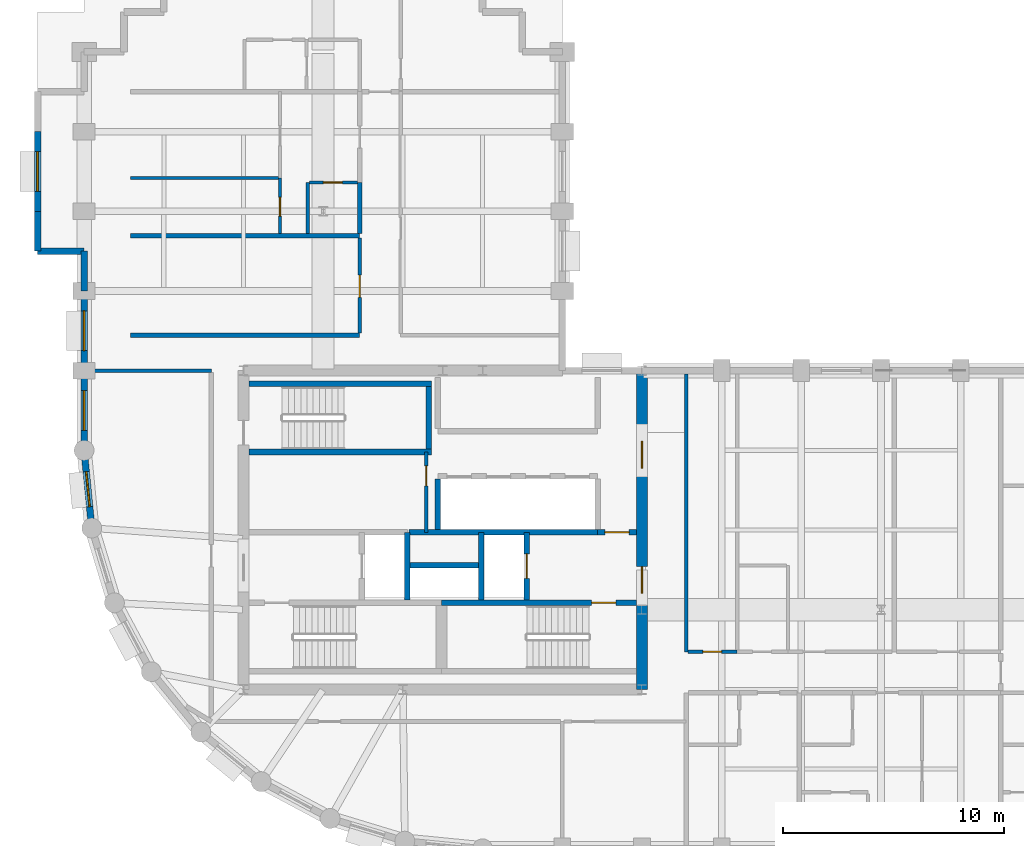
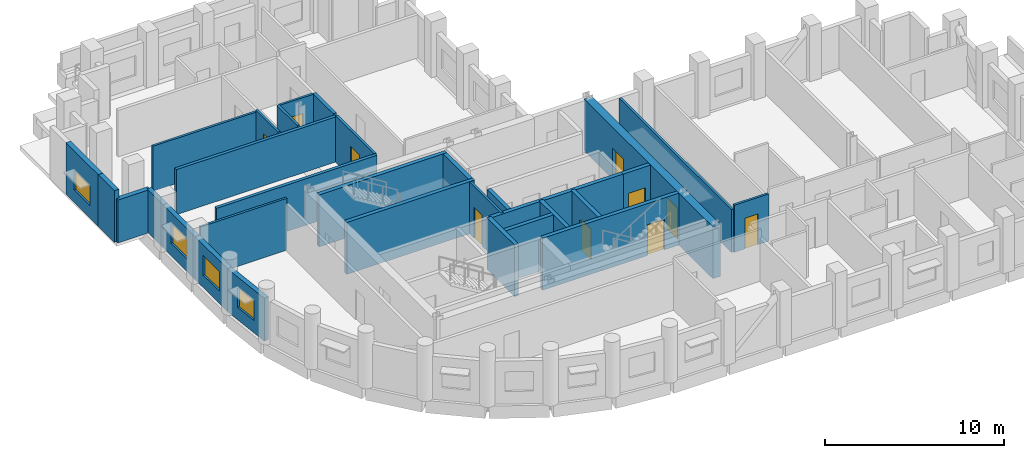
# One storey, part 4 of 10: 31 walls, 10 doors, 4 windows, 14 openings.
"""IFC4 building model written with IfcOpenShell, lengths in metres."""

from ifc_helpers import new_model, si_unit, direction, frame, frame_2d, origin, place, context, subcontext, project, spatial, rectangle, extrude, material, layer, layer_set, type_object, element, fill, save


model = new_model("IFC4")

# Units and contexts
model_context = context("Model", 3, precision=1e-05, world=origin(), true_north=direction((0.0, 1.0)))
body_context = subcontext(model_context, "Body", "Model", "MODEL_VIEW")
ifc_project = project(units=[si_unit("LENGTHUNIT", "METRE"), si_unit("AREAUNIT", "SQUARE_METRE"), si_unit("VOLUMEUNIT", "CUBIC_METRE"), si_unit("PLANEANGLEUNIT", "RADIAN"), si_unit("MASSUNIT", "GRAM", prefix="KILO")], contexts=[model_context])

# Site, building, storey
site_placement = place(None, origin())
site = spatial("IfcSite", under=ifc_project, at=site_placement, CompositionType="ELEMENT")
building_placement = place(site_placement, origin())
building = spatial("IfcBuilding", under=site, at=building_placement, Name="Solnavia Interchange Tower", CompositionType="ELEMENT")
storey_placement = place(building_placement, frame((0.0, 0.0, 127.60009765625)))
storey = spatial("IfcBuildingStorey", under=building, at=storey_placement, Name="L31", CompositionType="ELEMENT", Elevation=127.60009765625)

# Walls
ifc_material_1 = material(Name="Gypsum Acoustic Twin-Stud & Mineral Wool", Category="gypsum")
ifc_layer_1 = layer(ifc_material_1, 0.199951171875)
ifc_layer_set_1 = layer_set([ifc_layer_1], Name="Gypsum Acoustic Twin-Stud & Mineral Wool")
wall_type_1 = type_object("IfcWallType", Name="Wall-ApartmentParty-200", PredefinedType="PARTITIONING", material=ifc_layer_set_1)
wall_1_placement = place(storey_placement, frame((9.300048828125, 26.800048828125, 0.0), z_axis=(0.0, 0.0, 1.0), x_axis=(1.0, 0.0, 0.0)))
element("IfcWall", 1, at=wall_1_placement, inside=storey, type_object=wall_type_1, Name="PTW-L31-39 Interior partition wall", PredefinedType="PARTITIONING", context=body_context, shape_type="SweptSolid", body=[
    extrude(rectangle(XDim=10.349853515625, YDim=0.199951171875, at=frame_2d((5.1748046875, 0.0))), origin(), (0.0, 0.0, 1.0), 3.169921875),
])
wall_2_placement = place(storey_placement, frame((9.300048828125, 31.300048828125, 0.0), z_axis=(0.0, 0.0, 1.0), x_axis=(1.0, 0.0, 0.0)))
element("IfcWall", 2, at=wall_2_placement, inside=storey, type_object=wall_type_1, Name="PTW-L31-40 Interior partition wall", PredefinedType="PARTITIONING", context=body_context, shape_type="SweptSolid", body=[
    extrude(rectangle(XDim=10.349853515625, YDim=0.199951171875, at=frame_2d((5.1748046875, 0.0))), origin(), (0.0, 0.0, 1.0), 3.079833984375),
])
wall_3_placement = place(storey_placement, frame((19.64990234375, 31.404052734375, 0.0), z_axis=(0.0, 0.0, 1.0), x_axis=(0.0, 1.0, 0.0)))
element("IfcWall", 3, at=wall_3_placement, inside=storey, type_object=wall_type_1, Name="PTW-L31-42 Interior partition wall", PredefinedType="PARTITIONING", context=body_context, shape_type="SweptSolid", body=[
    extrude(rectangle(XDim=2.2958984375, YDim=0.199951171875, at=frame_2d((1.14794921875, 0.0))), origin(), (0.0, 0.0, 1.0), 3.179931640625),
])

# Wall, opening, window
ifc_material_2 = material(Name="Concrete C40/50", Category="concrete")
ifc_layer_2 = layer(ifc_material_2, 0.300048828125)
ifc_layer_set_2 = layer_set([ifc_layer_2], Name="Concrete C40/50")
wall_type_2 = type_object("IfcWallType", Name="Wall-ExtSpandrel-300", PredefinedType="STANDARD", material=ifc_layer_set_2)
wall_4_placement = place(storey_placement, frame((5.10009765625, 32.39990234375, 0.0), z_axis=(0.0, 0.0, 1.0), x_axis=(0.0, 1.0, 0.0)))
wall_4 = element("IfcWall", 4, at=wall_4_placement, inside=storey, type_object=wall_type_2, Name="EXW-L31-45 Exterior precast spandrel wall", PredefinedType="STANDARD", context=body_context, shape_type="SweptSolid", body=[
    extrude(rectangle(XDim=3.60009765625, YDim=0.300048828125, at=frame_2d((1.800048828125, 0.0))), origin(), (0.0, 0.0, 1.0), 3.534912109375),
])
opening_1_placement = place(wall_4_placement, frame((0.89990234375, 0.0, 0.85009765625)))
opening_1 = element("IfcOpeningElement", 5, at=opening_1_placement, cuts=wall_4, Name="Opening WIN-02", PredefinedType="OPENING", context=body_context, shape_type="SweptSolid", body=[
    extrude(rectangle(XDim=1.800048828125, YDim=1.35009765625, at=frame_2d((0.89990234375, 0.675048828125))), frame((0.0, 0.16015625, 0.0), z_axis=(0.0, -1.0, 0.0), x_axis=(1.0, 0.0, 0.0)), (0.0, 0.0, 1.0), 0.320068359375),
])
ifc_material_3 = material(Name="Thermal-Break Aluminium & Low-E Glass", Category="aluminium")
window_type_1 = type_object("IfcWindowType", Name="Window-Ribbon-1800x1350", PartitioningType="SINGLE_PANEL", PredefinedType="WINDOW", material=ifc_material_3)
window_1_placement = place(opening_1_placement, origin())
window_1 = element("IfcWindow", 6, at=window_1_placement, inside=storey, type_object=window_type_1, Name="WIN-L31-45 Facade ribbon window", OverallHeight=1.35009765625, OverallWidth=1.800048828125, PartitioningType="SINGLE_PANEL", PredefinedType="WINDOW", context=body_context, shape_type="SweptSolid", body=[
    extrude(rectangle(XDim=1.800048828125, YDim=1.35009765625, at=frame_2d((0.89990234375, 0.675048828125))), frame((0.0, 0.030029296875, 0.0), z_axis=(0.0, -1.0, 0.0), x_axis=(1.0, 0.0, 0.0)), (0.0, 0.0, 1.0), 0.06005859375),
])
fill(opening_1, window_1)

# Walls
wall_5_placement = place(storey_placement, frame((5.10009765625, 30.60009765625, 0.0), z_axis=(0.0, 0.0, 1.0), x_axis=(0.0, 1.0, 0.0)))
element("IfcWall", 7, at=wall_5_placement, inside=storey, type_object=wall_type_2, Name="EXW-L31-46 Exterior precast spandrel wall", PredefinedType="STANDARD", context=body_context, shape_type="SweptSolid", body=[
    extrude(rectangle(XDim=1.7998046875, YDim=0.300048828125, at=frame_2d((0.89990234375, 0.0))), origin(), (0.0, 0.0, 1.0), 3.534912109375),
])
wall_6_placement = place(storey_placement, frame((5.10009765625, 30.60009765625, 0.0), z_axis=(0.0, 0.0, 1.0), x_axis=(1.0, 0.0, 0.0)))
element("IfcWall", 8, at=wall_6_placement, inside=storey, type_object=wall_type_2, Name="EXW-L31-47 Exterior precast spandrel wall", PredefinedType="STANDARD", context=body_context, shape_type="SweptSolid", body=[
    extrude(rectangle(XDim=2.099853515625, YDim=0.300048828125, at=frame_2d((1.0498046875, 0.0))), origin(), (0.0, 0.0, 1.0), 2.929931640625),
])
wall_7_placement = place(storey_placement, frame((7.199951171875, 28.800048828125, 0.0), z_axis=(0.0, 0.0, 1.0), x_axis=(0.0, 1.0, 0.0)))
element("IfcWall", 9, at=wall_7_placement, inside=storey, type_object=wall_type_2, Name="EXW-L31-48 Exterior precast spandrel wall", PredefinedType="STANDARD", context=body_context, shape_type="SweptSolid", body=[
    extrude(rectangle(XDim=1.800048828125, YDim=0.300048828125, at=frame_2d((0.89990234375, 0.0))), origin(), (0.0, 0.0, 1.0), 2.929931640625),
])

# Wall, opening, window
wall_8_placement = place(storey_placement, frame((7.199951171875, 25.199951171875, 0.0), z_axis=(0.0, 0.0, 1.0), x_axis=(0.0, 1.0, 0.0)))
wall_8 = element("IfcWall", 10, at=wall_8_placement, inside=storey, type_object=wall_type_2, Name="EXW-L31-49 Exterior precast spandrel wall", PredefinedType="STANDARD", context=body_context, shape_type="SweptSolid", body=[
    extrude(rectangle(XDim=3.60009765625, YDim=0.300048828125, at=frame_2d((1.800048828125, 0.0))), origin(), (0.0, 0.0, 1.0), 2.929931640625),
])
opening_2_placement = place(wall_8_placement, frame((0.89990234375, 0.0, 0.85009765625)))
opening_2 = element("IfcOpeningElement", 11, at=opening_2_placement, cuts=wall_8, Name="Opening WIN-02", PredefinedType="OPENING", context=body_context, shape_type="SweptSolid", body=[
    extrude(rectangle(XDim=1.800048828125, YDim=1.35009765625, at=frame_2d((0.89990234375, 0.675048828125))), frame((0.0, 0.16015625, 0.0), z_axis=(0.0, -1.0, 0.0), x_axis=(1.0, 0.0, 0.0)), (0.0, 0.0, 1.0), 0.320068359375),
])
window_2_placement = place(opening_2_placement, origin())
window_2 = element("IfcWindow", 12, at=window_2_placement, inside=storey, type_object=window_type_1, Name="WIN-L31-49 Facade ribbon window", OverallHeight=1.35009765625, OverallWidth=1.800048828125, PartitioningType="SINGLE_PANEL", PredefinedType="WINDOW", context=body_context, shape_type="SweptSolid", body=[
    extrude(rectangle(XDim=1.800048828125, YDim=1.35009765625, at=frame_2d((0.89990234375, 0.675048828125))), frame((0.0, 0.030029296875, 0.0), z_axis=(0.0, -1.0, 0.0), x_axis=(1.0, 0.0, 0.0)), (0.0, 0.0, 1.0), 0.06005859375),
])
fill(opening_2, window_2)

wall_9_placement = place(storey_placement, frame((7.199951171875, 21.60009765625, 0.0), z_axis=(0.0, 0.0, 1.0), x_axis=(0.0, 1.0, 0.0)))
wall_9 = element("IfcWall", 13, at=wall_9_placement, inside=storey, type_object=wall_type_2, Name="EXW-L31-50 Exterior precast spandrel wall", PredefinedType="STANDARD", context=body_context, shape_type="SweptSolid", body=[
    extrude(rectangle(XDim=3.599853515625, YDim=0.300048828125, at=frame_2d((1.7998046875, 0.0))), origin(), (0.0, 0.0, 1.0), 2.929931640625),
])
opening_3_placement = place(wall_9_placement, frame((0.89990234375, 0.0, 0.85009765625)))
opening_3 = element("IfcOpeningElement", 14, at=opening_3_placement, cuts=wall_9, Name="Opening WIN-02", PredefinedType="OPENING", context=body_context, shape_type="SweptSolid", body=[
    extrude(rectangle(XDim=1.800048828125, YDim=1.35009765625, at=frame_2d((0.89990234375, 0.675048828125))), frame((0.0, 0.16015625, 0.0), z_axis=(0.0, -1.0, 0.0), x_axis=(1.0, 0.0, 0.0)), (0.0, 0.0, 1.0), 0.320068359375),
])
window_3_placement = place(opening_3_placement, origin())
window_3 = element("IfcWindow", 15, at=window_3_placement, inside=storey, type_object=window_type_1, Name="WIN-L31-50 Facade ribbon window", OverallHeight=1.35009765625, OverallWidth=1.800048828125, PartitioningType="SINGLE_PANEL", PredefinedType="WINDOW", context=body_context, shape_type="SweptSolid", body=[
    extrude(rectangle(XDim=1.800048828125, YDim=1.35009765625, at=frame_2d((0.89990234375, 0.675048828125))), frame((0.0, 0.030029296875, 0.0), z_axis=(0.0, -1.0, 0.0), x_axis=(1.0, 0.0, 0.0)), (0.0, 0.0, 1.0), 0.06005859375),
])
fill(opening_3, window_3)

wall_10_placement = place(storey_placement, frame((7.5458984375, 18.087890625, 0.0), z_axis=(0.0, 0.0, 1.0), x_axis=(-0.09802417461, 0.995184033831, 0.0)))
wall_10 = element("IfcWall", 16, at=wall_10_placement, inside=storey, type_object=wall_type_2, Name="EXW-L31-51 Exterior precast spandrel wall", PredefinedType="STANDARD", context=body_context, shape_type="SweptSolid", body=[
    extrude(rectangle(XDim=3.529296875, YDim=0.300048828125, at=frame_2d((1.7646484375, 0.0))), origin(), (0.0, 0.0, 1.0), 2.929931640625),
])
opening_4_placement = place(wall_10_placement, frame((0.965087890625, 0.0, 0.85009765625)))
opening_4 = element("IfcOpeningElement", 17, at=opening_4_placement, cuts=wall_10, Name="Opening WIN-04", PredefinedType="OPENING", context=body_context, shape_type="SweptSolid", body=[
    extrude(rectangle(XDim=1.60009765625, YDim=1.35009765625, at=frame_2d((0.800048828125, 0.675048828125))), frame((0.0, 0.16015625, 0.0), z_axis=(0.0, -1.0, 0.0), x_axis=(1.0, 0.0, 0.0)), (0.0, 0.0, 1.0), 0.320068359375),
])
window_type_2 = type_object("IfcWindowType", Name="Window-Drum-1600x1350", PartitioningType="SINGLE_PANEL", PredefinedType="WINDOW", material=ifc_material_3)
window_4_placement = place(opening_4_placement, origin())
window_4 = element("IfcWindow", 18, at=window_4_placement, inside=storey, type_object=window_type_2, Name="WIN-L31-51 Facade ribbon window", OverallHeight=1.35009765625, OverallWidth=1.60009765625, PartitioningType="SINGLE_PANEL", PredefinedType="WINDOW", context=body_context, shape_type="SweptSolid", body=[
    extrude(rectangle(XDim=1.60009765625, YDim=1.35009765625, at=frame_2d((0.800048828125, 0.675048828125))), frame((0.0, 0.030029296875, 0.0), z_axis=(0.0, -1.0, 0.0), x_axis=(1.0, 0.0, 0.0)), (0.0, 0.0, 1.0), 0.06005859375),
])
fill(opening_4, window_4)

# Wall, opening, door
ifc_material_4 = material(Name="Gypsum Plasterboard & Steel Stud", Category="steel")
ifc_layer_3 = layer(ifc_material_4, 0.14990234375)
ifc_layer_set_3 = layer_set([ifc_layer_3], Name="Gypsum Plasterboard & Steel Stud")
wall_type_3 = type_object("IfcWallType", Name="Wall-Partition-150", PredefinedType="PARTITIONING", material=ifc_layer_set_3)
wall_11_placement = place(storey_placement, frame((22.64990234375, 17.89990234375, 0.0), z_axis=(0.0, 0.0, 1.0), x_axis=(0.0, 1.0, 0.0)))
wall_11 = element("IfcWall", 19, at=wall_11_placement, inside=storey, type_object=wall_type_3, Name="CSW-L31-E Core shaft wall", PredefinedType="PARTITIONING", context=body_context, shape_type="SweptSolid", body=[
    extrude(rectangle(XDim=3.625, YDim=0.14990234375, at=frame_2d((1.8125, 0.0))), origin(), (0.0, 0.0, 1.0), 3.534912109375),
])
opening_5_placement = place(wall_11_placement, frame((2.10009765625, 0.0, 0.0)))
opening_5 = element("IfcOpeningElement", 20, at=opening_5_placement, cuts=wall_11, Name="Opening DR-09", PredefinedType="OPENING", context=body_context, shape_type="SweptSolid", body=[
    extrude(rectangle(XDim=0.89990234375, YDim=2.10009765625, at=frame_2d((0.449951171875, 1.050048828125))), frame((0.0, 0.0849609375, 0.0), z_axis=(0.0, -1.0, 0.0), x_axis=(1.0, 0.0, 0.0)), (0.0, 0.0, 1.0), 0.169921875),
])
ifc_material_5 = material(Name="Engineered Oak Veneer Door", Category="wood")
door_type_1 = type_object("IfcDoorType", Name="Door-Internal-900x2100", OperationType="SINGLE_SWING_LEFT", PredefinedType="DOOR", material=ifc_material_5)
door_1_placement = place(opening_5_placement, origin())
door_1 = element("IfcDoor", 21, at=door_1_placement, inside=storey, type_object=door_type_1, Name="DR-L31-CS1 Core fire door", OperationType="SINGLE_SWING_LEFT", OverallHeight=2.10009765625, OverallWidth=0.89990234375, PredefinedType="DOOR", context=body_context, shape_type="SweptSolid", body=[
    extrude(rectangle(XDim=0.89990234375, YDim=2.10009765625, at=frame_2d((0.449951171875, 1.050048828125))), frame((0.0, 0.02490234375, 0.0), z_axis=(0.0, -1.0, 0.0), x_axis=(1.0, 0.0, 0.0)), (0.0, 0.0, 1.0), 0.050048828125),
])
fill(opening_5, door_1)

# Wall
wall_12_placement = place(storey_placement, frame((7.35400390625, 25.199951171875, 0.0), z_axis=(0.0, 0.0, 1.0), x_axis=(1.0, 0.0, 0.0)))
element("IfcWall", 22, at=wall_12_placement, inside=storey, type_object=wall_type_3, Name="PTW-L31-07 Interior partition wall", PredefinedType="PARTITIONING", context=body_context, shape_type="SweptSolid", body=[
    extrude(rectangle(XDim=5.595947265625, YDim=0.14990234375, at=frame_2d((2.7978515625, 0.0))), origin(), (0.0, 0.0, 1.0), 3.534912109375),
])

# Wall, opening, door
wall_13_placement = place(storey_placement, frame((19.64990234375, 26.904052734375, 0.0), z_axis=(0.0, 0.0, 1.0), x_axis=(0.0, 1.0, 0.0)))
wall_13 = element("IfcWall", 23, at=wall_13_placement, inside=storey, type_object=wall_type_3, Name="PTW-L31-41 Interior partition wall", PredefinedType="PARTITIONING", context=body_context, shape_type="SweptSolid", body=[
    extrude(rectangle(XDim=4.2919921875, YDim=0.14990234375, at=frame_2d((2.14599609375, 0.0))), origin(), (0.0, 0.0, 1.0), 3.169921875),
])
opening_6_placement = place(wall_13_placement, frame((1.60595703125, 0.0, 0.0)))
opening_6 = element("IfcOpeningElement", 24, at=opening_6_placement, cuts=wall_13, Name="Opening DR-07", PredefinedType="OPENING", context=body_context, shape_type="SweptSolid", body=[
    extrude(rectangle(XDim=1.0, YDim=2.10009765625, at=frame_2d((0.5, 1.050048828125))), frame((0.0, 0.0849609375, 0.0), z_axis=(0.0, -1.0, 0.0), x_axis=(1.0, 0.0, 0.0)), (0.0, 0.0, 1.0), 0.169921875),
])
ifc_material_6 = material(Name="Timber & Acoustic Glazed Office Door", Category="wood")
door_type_2 = type_object("IfcDoorType", Name="Door-Office-1000x2100", OperationType="SINGLE_SWING_RIGHT", PredefinedType="DOOR", material=ifc_material_6)
door_2_placement = place(opening_6_placement, origin())
door_2 = element("IfcDoor", 25, at=door_2_placement, inside=storey, type_object=door_type_2, Name="DR-L31-18 Interior room door", OperationType="SINGLE_SWING_RIGHT", OverallHeight=2.10009765625, OverallWidth=1.0, PredefinedType="DOOR", context=body_context, shape_type="SweptSolid", body=[
    extrude(rectangle(XDim=1.0, YDim=2.10009765625, at=frame_2d((0.5, 1.050048828125))), frame((0.0, 0.02490234375, 0.0), z_axis=(0.0, -1.0, 0.0), x_axis=(1.0, 0.0, 0.0)), (0.0, 0.0, 1.0), 0.050048828125),
])
fill(opening_6, door_2)

ifc_layer_4 = layer(ifc_material_2, 0.25)
ifc_layer_set_4 = layer_set([ifc_layer_4], Name="Concrete C40/50")
wall_type_4 = type_object("IfcWallType", Name="Wall-ShaftCore-250", PredefinedType="SHEAR", material=ifc_layer_set_4)
wall_14_placement = place(storey_placement, frame((23.35009765625, 14.715087890625, 0.0), z_axis=(0.0, 0.0, 1.0), x_axis=(1.0, 0.0, 0.0)))
wall_14 = element("IfcWall", 26, at=wall_14_placement, inside=storey, type_object=wall_type_4, Name="SHW-L31-ST2N Core shear wall", PredefinedType="SHEAR", context=body_context, shape_type="SweptSolid", body=[
    extrude(rectangle(XDim=8.7998046875, YDim=0.25, at=frame_2d((4.39990234375, 0.0))), origin(), (0.0, 0.0, 1.0), 3.5498046875),
])
opening_7_placement = place(wall_14_placement, frame((6.77490234375, 0.0, 0.0)))
opening_7 = element("IfcOpeningElement", 27, at=opening_7_placement, cuts=wall_14, Name="Opening DR-01", PredefinedType="OPENING", context=body_context, shape_type="SweptSolid", body=[
    extrude(rectangle(XDim=1.10009765625, YDim=2.10009765625, at=frame_2d((0.550048828125, 1.050048828125))), frame((0.0, 0.135009765625, 0.0), z_axis=(0.0, -1.0, 0.0), x_axis=(1.0, 0.0, 0.0)), (0.0, 0.0, 1.0), 0.27001953125),
])
ifc_material_7 = material(Name="Steel Fire-Rated Leaf & Frame", Category="steel")
door_type_3 = type_object("IfcDoorType", Name="Door-StairFire-1100x2100", OperationType="SINGLE_SWING_LEFT", PredefinedType="DOOR", material=ifc_material_7)
door_3_placement = place(opening_7_placement, origin())
door_3 = element("IfcDoor", 28, at=door_3_placement, inside=storey, type_object=door_type_3, Name="DR-L31-ST2 Core fire door", OperationType="SINGLE_SWING_LEFT", OverallHeight=2.10009765625, OverallWidth=1.10009765625, PredefinedType="DOOR", context=body_context, shape_type="SweptSolid", body=[
    extrude(rectangle(XDim=1.10009765625, YDim=2.10009765625, at=frame_2d((0.550048828125, 1.050048828125))), frame((0.0, 0.02490234375, 0.0), z_axis=(0.0, -1.0, 0.0), x_axis=(1.0, 0.0, 0.0)), (0.0, 0.0, 1.0), 0.050048828125),
])
fill(opening_7, door_3)

# Walls
for number, where, z_axis, x_axis, name in (
    (29, (14.64990234375, 21.52490234375, 0.0), (0.0, 0.0, 1.0), (1.0, 0.0, 0.0), "SHW-L31-ST3S Core shear wall"),
    (30, (14.64990234375, 24.614990234375, 0.0), (0.0, 0.0, 1.0), (1.0, 0.0, 0.0), "SHW-L31-ST3N Core shear wall"),
):
    element("IfcWall", number, at=place(storey_placement, frame(where, z_axis=z_axis, x_axis=x_axis)), inside=storey, type_object=wall_type_4, Name=name, PredefinedType="SHEAR", context=body_context, shape_type="SweptSolid", body=[
        extrude(rectangle(XDim=8.25, YDim=0.25, at=frame_2d((4.125, 0.0))), origin(), (0.0, 0.0, 1.0), 3.5498046875),
    ])
wall_15_placement = place(storey_placement, frame((22.77490234375, 21.64990234375, 0.0), z_axis=(0.0, 0.0, 1.0), x_axis=(0.0, 1.0, 0.0)))
element("IfcWall", 31, at=wall_15_placement, inside=storey, type_object=wall_type_4, Name="SHW-L31-ST3E Core shear wall", PredefinedType="SHEAR", context=body_context, shape_type="SweptSolid", body=[
    extrude(rectangle(XDim=2.840087890625, YDim=0.25, at=frame_2d((1.419921875, 0.0))), origin(), (0.0, 0.0, 1.0), 3.5498046875),
])
ifc_layer_5 = layer(ifc_material_2, 0.25)
ifc_layer_set_5 = layer_set([ifc_layer_5], Name="Concrete C40/50")
wall_type_5 = type_object("IfcWallType", Name="Wall-ShaftPart-250", PredefinedType="PARTITIONING", material=ifc_layer_set_5)
wall_16_placement = place(storey_placement, frame((21.800048828125, 14.840087890625, 0.0), z_axis=(0.0, 0.0, 1.0), x_axis=(0.0, 1.0, 0.0)))
element("IfcWall", 32, at=wall_16_placement, inside=storey, type_object=wall_type_5, Name="SHW-L31-FFL1-E Core shaft wall", PredefinedType="PARTITIONING", context=body_context, shape_type="SweptSolid", body=[
    extrude(rectangle(XDim=3.059814453125, YDim=0.25, at=frame_2d((1.52978515625, 0.0))), origin(), (0.0, 0.0, 1.0), 3.534912109375),
])
wall_17_placement = place(storey_placement, frame((21.8798828125, 17.89990234375, 0.0), z_axis=(0.0, 0.0, 1.0), x_axis=(1.0, 0.0, 0.0)))
element("IfcWall", 33, at=wall_17_placement, inside=storey, type_object=wall_type_5, Name="SHW-L31-FFLE-N1 Core shaft wall", PredefinedType="PARTITIONING", context=body_context, shape_type="SweptSolid", body=[
    extrude(rectangle(XDim=8.52001953125, YDim=0.25, at=frame_2d((4.260009765625, 0.0))), origin(), (0.0, 0.0, 1.0), 3.534912109375),
])

# Wall, opening, door
wall_18_placement = place(storey_placement, frame((30.39990234375, 17.89990234375, 0.0), z_axis=(0.0, 0.0, 1.0), x_axis=(1.0, 0.0, 0.0)))
wall_18 = element("IfcWall", 34, at=wall_18_placement, inside=storey, type_object=wall_type_5, Name="SHW-L31-FFLE-N2 Core shaft wall", PredefinedType="PARTITIONING", context=body_context, shape_type="SweptSolid", body=[
    extrude(rectangle(XDim=1.75, YDim=0.25, at=frame_2d((0.875, 0.0))), origin(), (0.0, 0.0, 1.0), 3.534912109375),
])
opening_8_placement = place(wall_18_placement, frame((0.320068359375, 0.0, 0.0)))
opening_8 = element("IfcOpeningElement", 35, at=opening_8_placement, cuts=wall_18, Name="Opening DR-01", PredefinedType="OPENING", context=body_context, shape_type="SweptSolid", body=[
    extrude(rectangle(XDim=1.10009765625, YDim=2.10009765625, at=frame_2d((0.550048828125, 1.050048828125))), frame((0.0, 0.135009765625, 0.0), z_axis=(0.0, -1.0, 0.0), x_axis=(1.0, 0.0, 0.0)), (0.0, 0.0, 1.0), 0.27001953125),
])
door_4_placement = place(opening_8_placement, origin())
door_4 = element("IfcDoor", 36, at=door_4_placement, inside=storey, type_object=door_type_3, Name="DR-L31-LLC Core fire door", OperationType="SINGLE_SWING_LEFT", OverallHeight=2.10009765625, OverallWidth=1.10009765625, PredefinedType="DOOR", context=body_context, shape_type="SweptSolid", body=[
    extrude(rectangle(XDim=1.10009765625, YDim=2.10009765625, at=frame_2d((0.550048828125, 1.050048828125))), frame((0.0, 0.02490234375, 0.0), z_axis=(0.0, -1.0, 0.0), x_axis=(1.0, 0.0, 0.0)), (0.0, 0.0, 1.0), 0.050048828125),
])
fill(opening_8, door_4)

# Wall
wall_19_placement = place(storey_placement, frame((25.14990234375, 14.840087890625, 0.0), z_axis=(0.0, 0.0, 1.0), x_axis=(0.0, 1.0, 0.0)))
element("IfcWall", 37, at=wall_19_placement, inside=storey, type_object=wall_type_5, Name="SHW-L31-FFL2-W Core shaft wall", PredefinedType="PARTITIONING", context=body_context, shape_type="SweptSolid", body=[
    extrude(rectangle(XDim=3.059814453125, YDim=0.25, at=frame_2d((1.52978515625, 0.0))), origin(), (0.0, 0.0, 1.0), 3.534912109375),
])

# Wall, opening, door
wall_20_placement = place(storey_placement, frame((27.199951171875, 14.840087890625, 0.0), z_axis=(0.0, 0.0, 1.0), x_axis=(0.0, 1.0, 0.0)))
wall_20 = element("IfcWall", 38, at=wall_20_placement, inside=storey, type_object=wall_type_5, Name="SHW-L31-FFL2-E Core shaft wall", PredefinedType="PARTITIONING", context=body_context, shape_type="SweptSolid", body=[
    extrude(rectangle(XDim=3.059814453125, YDim=0.25, at=frame_2d((1.52978515625, 0.0))), origin(), (0.0, 0.0, 1.0), 3.534912109375),
])
opening_9_placement = place(wall_20_placement, frame((0.97998046875, 0.0, 0.0)))
opening_9 = element("IfcOpeningElement", 39, at=opening_9_placement, cuts=wall_20, Name="Opening LD-01", PredefinedType="OPENING", context=body_context, shape_type="SweptSolid", body=[
    extrude(rectangle(XDim=1.10009765625, YDim=2.10009765625, at=frame_2d((0.550048828125, 1.050048828125))), frame((0.0, 0.135009765625, 0.0), z_axis=(0.0, -1.0, 0.0), x_axis=(1.0, 0.0, 0.0)), (0.0, 0.0, 1.0), 0.27001953125),
])
ifc_material_8 = material(Name="Brushed Stainless Steel Sliding Door", Category="steel")
door_type_4 = type_object("IfcDoorType", Name="Door-LiftLanding-1100x2100", OperationType="SLIDING_TO_LEFT", PredefinedType="DOOR", material=ifc_material_8)
door_5_placement = place(opening_9_placement, origin())
door_5 = element("IfcDoor", 40, at=door_5_placement, inside=storey, type_object=door_type_4, Name="LD-L31-FFL2 Lift landing sliding door", OperationType="SLIDING_TO_LEFT", OverallHeight=2.10009765625, OverallWidth=1.10009765625, PredefinedType="DOOR", context=body_context, shape_type="SweptSolid", body=[
    extrude(rectangle(XDim=1.10009765625, YDim=2.10009765625, at=frame_2d((0.550048828125, 1.050048828125))), frame((0.0, 0.02490234375, 0.0), z_axis=(0.0, -1.0, 0.0), x_axis=(1.0, 0.0, 0.0)), (0.0, 0.0, 1.0), 0.050048828125),
])
fill(opening_9, door_5)

# Walls
wall_21_placement = place(storey_placement, frame((21.800048828125, 16.39990234375, 0.0), z_axis=(0.0, 0.0, 1.0), x_axis=(1.0, 0.0, 0.0)))
element("IfcWall", 41, at=wall_21_placement, inside=storey, type_object=wall_type_5, Name="SHW-L31-MEP-N Core shaft wall", PredefinedType="PARTITIONING", context=body_context, shape_type="SweptSolid", body=[
    extrude(rectangle(XDim=3.349853515625, YDim=0.25, at=frame_2d((1.6748046875, 0.0))), origin(), (0.0, 0.0, 1.0), 3.534912109375),
])
wall_22_placement = place(storey_placement, frame((23.179931640625, 18.02490234375, 0.0), z_axis=(0.0, 0.0, 1.0), x_axis=(0.0, 1.0, 0.0)))
element("IfcWall", 42, at=wall_22_placement, inside=storey, type_object=wall_type_5, Name="SHW-L31-B2W Core shaft wall", PredefinedType="PARTITIONING", context=body_context, shape_type="SweptSolid", body=[
    extrude(rectangle(XDim=2.27001953125, YDim=0.25, at=frame_2d((1.135009765625, 0.0))), origin(), (0.0, 0.0, 1.0), 3.534912109375),
])

# Wall, openings, doors
ifc_material_9 = material(Name="Concrete C60/75", Category="concrete")
ifc_layer_6 = layer(ifc_material_9, 0.5)
ifc_layer_set_6 = layer_set([ifc_layer_6], Name="Concrete C60/75")
wall_type_6 = type_object("IfcWallType", Name="Wall-ShearCore-500", PredefinedType="SHEAR", material=ifc_layer_set_6)
wall_23_placement = place(storey_placement, frame((32.39990234375, 10.800048828125, 0.0), z_axis=(0.0, 0.0, 1.0), x_axis=(0.0, 1.0, 0.0)))
wall_23 = element("IfcWall", 43, at=wall_23_placement, inside=storey, type_object=wall_type_6, Name="CRW-L31-E Core shear wall", PredefinedType="SHEAR", context=body_context, shape_type="SweptSolid", body=[
    extrude(rectangle(XDim=14.39990234375, YDim=0.5, at=frame_2d((7.199951171875, 0.0))), origin(), (0.0, 0.0, 1.0), 3.5498046875),
])
opening_10_placement = place(wall_23_placement, frame((4.35009765625, 0.0, 0.0)))
opening_10 = element("IfcOpeningElement", 44, at=opening_10_placement, cuts=wall_23, Name="Opening DR-02", PredefinedType="OPENING", context=body_context, shape_type="SweptSolid", body=[
    extrude(rectangle(XDim=1.199951171875, YDim=2.10009765625, at=frame_2d((0.60009765625, 1.050048828125))), frame((0.0, 0.260009765625, 0.0), z_axis=(0.0, -1.0, 0.0), x_axis=(1.0, 0.0, 0.0)), (0.0, 0.0, 1.0), 0.52001953125),
])
opening_11_placement = place(wall_23_placement, frame((10.0, 0.0, 0.0)))
opening_11 = element("IfcOpeningElement", 45, at=opening_11_placement, cuts=wall_23, Name="Opening DR-02", PredefinedType="OPENING", context=body_context, shape_type="SweptSolid", body=[
    extrude(rectangle(XDim=1.199951171875, YDim=2.10009765625, at=frame_2d((0.60009765625, 1.050048828125))), frame((0.0, 0.260009765625, 0.0), z_axis=(0.0, -1.0, 0.0), x_axis=(1.0, 0.0, 0.0)), (0.0, 0.0, 1.0), 0.52001953125),
])
ifc_material_10 = material(Name="Steel Fire-Rated Vision-Panel Door", Category="steel")
door_type_5 = type_object("IfcDoorType", Name="Door-LobbyFire-1200x2100", OperationType="SINGLE_SWING_RIGHT", PredefinedType="DOOR", material=ifc_material_10)
door_6_placement = place(opening_10_placement, origin())
door_6 = element("IfcDoor", 46, at=door_6_placement, inside=storey, type_object=door_type_5, Name="DR-L31-FFL2E Core fire door", OperationType="SINGLE_SWING_LEFT", OverallHeight=2.10009765625, OverallWidth=1.199951171875, PredefinedType="DOOR", context=body_context, shape_type="SweptSolid", body=[
    extrude(rectangle(XDim=1.199951171875, YDim=2.10009765625, at=frame_2d((0.60009765625, 1.050048828125))), frame((0.0, 0.02490234375, 0.0), z_axis=(0.0, -1.0, 0.0), x_axis=(1.0, 0.0, 0.0)), (0.0, 0.0, 1.0), 0.050048828125),
])
fill(opening_10, door_6)
door_7_placement = place(opening_11_placement, origin())
door_7 = element("IfcDoor", 47, at=door_7_placement, inside=storey, type_object=door_type_5, Name="DR-L31-LLE Core fire door", OperationType="SINGLE_SWING_RIGHT", OverallHeight=2.10009765625, OverallWidth=1.199951171875, PredefinedType="DOOR", context=body_context, shape_type="SweptSolid", body=[
    extrude(rectangle(XDim=1.199951171875, YDim=2.10009765625, at=frame_2d((0.60009765625, 1.050048828125))), frame((0.0, 0.02490234375, 0.0), z_axis=(0.0, -1.0, 0.0), x_axis=(1.0, 0.0, 0.0)), (0.0, 0.0, 1.0), 0.050048828125),
])
fill(opening_11, door_7)

# Wall
ifc_material_11 = material(Name="Moisture-Resistant Gypsum & Steel Stud", Category="steel")
ifc_layer_7 = layer(ifc_material_11, 0.14990234375)
ifc_layer_set_7 = layer_set([ifc_layer_7], Name="Moisture-Resistant Gypsum & Steel Stud")
wall_type_7 = type_object("IfcWallType", Name="Wall-WetRoom-150", PredefinedType="PARTITIONING", material=ifc_layer_set_7)
wall_24_placement = place(storey_placement, frame((34.39990234375, 12.5, 0.0), z_axis=(0.0, 0.0, 1.0), x_axis=(0.0, 1.0, 0.0)))
element("IfcWall", 48, at=wall_24_placement, inside=storey, type_object=wall_type_7, Name="PTW-L31-01 Interior partition wall", PredefinedType="PARTITIONING", context=body_context, shape_type="SweptSolid", body=[
    extrude(rectangle(XDim=12.5458984375, YDim=0.14990234375, at=frame_2d((6.27294921875, 0.0))), origin(), (0.0, 0.0, 1.0), 2.929931640625),
])

# Wall, opening, door
wall_25_placement = place(storey_placement, frame((34.47900390625, 12.5, 0.0), z_axis=(0.0, 0.0, 1.0), x_axis=(1.0, 0.0, 0.0)))
wall_25 = element("IfcWall", 49, at=wall_25_placement, inside=storey, type_object=wall_type_7, Name="PTW-L31-02 Interior partition wall", PredefinedType="PARTITIONING", context=body_context, shape_type="SweptSolid", body=[
    extrude(rectangle(XDim=2.220947265625, YDim=0.14990234375, at=frame_2d((1.1103515625, 0.0))), origin(), (0.0, 0.0, 1.0), 3.219970703125),
])
opening_12_placement = place(wall_25_placement, frame((0.674072265625, 0.0, 0.0)))
opening_12 = element("IfcOpeningElement", 50, at=opening_12_placement, cuts=wall_25, Name="Opening DR-10", PredefinedType="OPENING", context=body_context, shape_type="SweptSolid", body=[
    extrude(rectangle(XDim=0.85009765625, YDim=2.10009765625, at=frame_2d((0.425048828125, 1.050048828125))), frame((0.0, 0.0849609375, 0.0), z_axis=(0.0, -1.0, 0.0), x_axis=(1.0, 0.0, 0.0)), (0.0, 0.0, 1.0), 0.169921875),
])
ifc_material_12 = material(Name="Moisture-Resistant Timber Door", Category="wood")
door_type_6 = type_object("IfcDoorType", Name="Door-Bathroom-850x2100", OperationType="SINGLE_SWING_RIGHT", PredefinedType="DOOR", material=ifc_material_12)
door_8_placement = place(opening_12_placement, origin())
door_8 = element("IfcDoor", 51, at=door_8_placement, inside=storey, type_object=door_type_6, Name="DR-L31-01 Interior room door", OperationType="SINGLE_SWING_LEFT", OverallHeight=2.10009765625, OverallWidth=0.85009765625, PredefinedType="DOOR", context=body_context, shape_type="SweptSolid", body=[
    extrude(rectangle(XDim=0.85009765625, YDim=2.10009765625, at=frame_2d((0.425048828125, 1.050048828125))), frame((0.0, 0.02490234375, 0.0), z_axis=(0.0, -1.0, 0.0), x_axis=(1.0, 0.0, 0.0)), (0.0, 0.0, 1.0), 0.050048828125),
])
fill(opening_12, door_8)

# Wall
wall_26_placement = place(storey_placement, frame((17.300048828125, 31.404052734375, 0.0), z_axis=(0.0, 0.0, 1.0), x_axis=(0.0, 1.0, 0.0)))
element("IfcWall", 52, at=wall_26_placement, inside=storey, type_object=wall_type_7, Name="PTW-L31-43 Interior partition wall", PredefinedType="PARTITIONING", context=body_context, shape_type="SweptSolid", body=[
    extrude(rectangle(XDim=2.2958984375, YDim=0.14990234375, at=frame_2d((1.14794921875, 0.0))), origin(), (0.0, 0.0, 1.0), 3.179931640625),
])

# Wall, opening, door
wall_27_placement = place(storey_placement, frame((17.37890625, 33.699951171875, 0.0), z_axis=(0.0, 0.0, 1.0), x_axis=(1.0, 0.0, 0.0)))
wall_27 = element("IfcWall", 53, at=wall_27_placement, inside=storey, type_object=wall_type_7, Name="PTW-L31-44 Interior partition wall", PredefinedType="PARTITIONING", context=body_context, shape_type="SweptSolid", body=[
    extrude(rectangle(XDim=2.1669921875, YDim=0.14990234375, at=frame_2d((1.08349609375, 0.0))), origin(), (0.0, 0.0, 1.0), 3.169921875),
])
opening_13_placement = place(wall_27_placement, frame((0.633056640625, 0.0, 0.0)))
opening_13 = element("IfcOpeningElement", 54, at=opening_13_placement, cuts=wall_27, Name="Opening DR-10", PredefinedType="OPENING", context=body_context, shape_type="SweptSolid", body=[
    extrude(rectangle(XDim=0.85009765625, YDim=2.10009765625, at=frame_2d((0.425048828125, 1.050048828125))), frame((0.0, 0.0849609375, 0.0), z_axis=(0.0, -1.0, 0.0), x_axis=(1.0, 0.0, 0.0)), (0.0, 0.0, 1.0), 0.169921875),
])
door_9_placement = place(opening_13_placement, origin())
door_9 = element("IfcDoor", 55, at=door_9_placement, inside=storey, type_object=door_type_6, Name="DR-L31-19 Interior room door", OperationType="SINGLE_SWING_RIGHT", OverallHeight=2.10009765625, OverallWidth=0.85009765625, PredefinedType="DOOR", context=body_context, shape_type="SweptSolid", body=[
    extrude(rectangle(XDim=0.85009765625, YDim=2.10009765625, at=frame_2d((0.425048828125, 1.050048828125))), frame((0.0, 0.02490234375, 0.0), z_axis=(0.0, -1.0, 0.0), x_axis=(1.0, 0.0, 0.0)), (0.0, 0.0, 1.0), 0.050048828125),
])
fill(opening_13, door_9)

wall_28_placement = place(storey_placement, frame((16.050048828125, 31.404052734375, 0.0), z_axis=(0.0, 0.0, 1.0), x_axis=(0.0, 1.0, 0.0)))
wall_28 = element("IfcWall", 56, at=wall_28_placement, inside=storey, type_object=wall_type_7, Name="PTW-L31-47 Interior partition wall", PredefinedType="PARTITIONING", context=body_context, shape_type="SweptSolid", body=[
    extrude(rectangle(XDim=2.495849609375, YDim=0.14990234375, at=frame_2d((1.248046875, 0.0))), origin(), (0.0, 0.0, 1.0), 3.179931640625),
])
opening_14_placement = place(wall_28_placement, frame((0.77099609375, 0.0, 0.0)))
opening_14 = element("IfcOpeningElement", 57, at=opening_14_placement, cuts=wall_28, Name="Opening DR-10", PredefinedType="OPENING", context=body_context, shape_type="SweptSolid", body=[
    extrude(rectangle(XDim=0.85009765625, YDim=2.10009765625, at=frame_2d((0.425048828125, 1.050048828125))), frame((0.0, 0.0849609375, 0.0), z_axis=(0.0, -1.0, 0.0), x_axis=(1.0, 0.0, 0.0)), (0.0, 0.0, 1.0), 0.169921875),
])
door_10_placement = place(opening_14_placement, origin())
door_10 = element("IfcDoor", 58, at=door_10_placement, inside=storey, type_object=door_type_6, Name="DR-L31-22 Interior room door", OperationType="SINGLE_SWING_RIGHT", OverallHeight=2.10009765625, OverallWidth=0.85009765625, PredefinedType="DOOR", context=body_context, shape_type="SweptSolid", body=[
    extrude(rectangle(XDim=0.85009765625, YDim=2.10009765625, at=frame_2d((0.425048828125, 1.050048828125))), frame((0.0, 0.02490234375, 0.0), z_axis=(0.0, -1.0, 0.0), x_axis=(1.0, 0.0, 0.0)), (0.0, 0.0, 1.0), 0.050048828125),
])
fill(opening_14, door_10)

# Wall
wall_29_placement = place(storey_placement, frame((9.300048828125, 33.89990234375, 0.0), z_axis=(0.0, 0.0, 1.0), x_axis=(1.0, 0.0, 0.0)))
element("IfcWall", 59, at=wall_29_placement, inside=storey, type_object=wall_type_7, Name="PTW-L31-48 Interior partition wall", PredefinedType="PARTITIONING", context=body_context, shape_type="SweptSolid", body=[
    extrude(rectangle(XDim=6.6708984375, YDim=0.14990234375, at=frame_2d((3.33544921875, 0.0))), origin(), (0.0, 0.0, 1.0), 3.079833984375),
])

save(model, "model.ifc")
